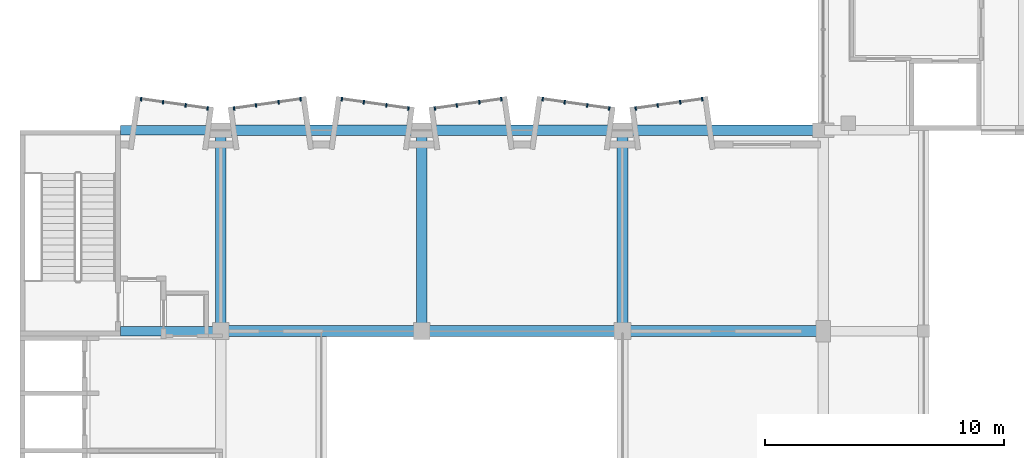
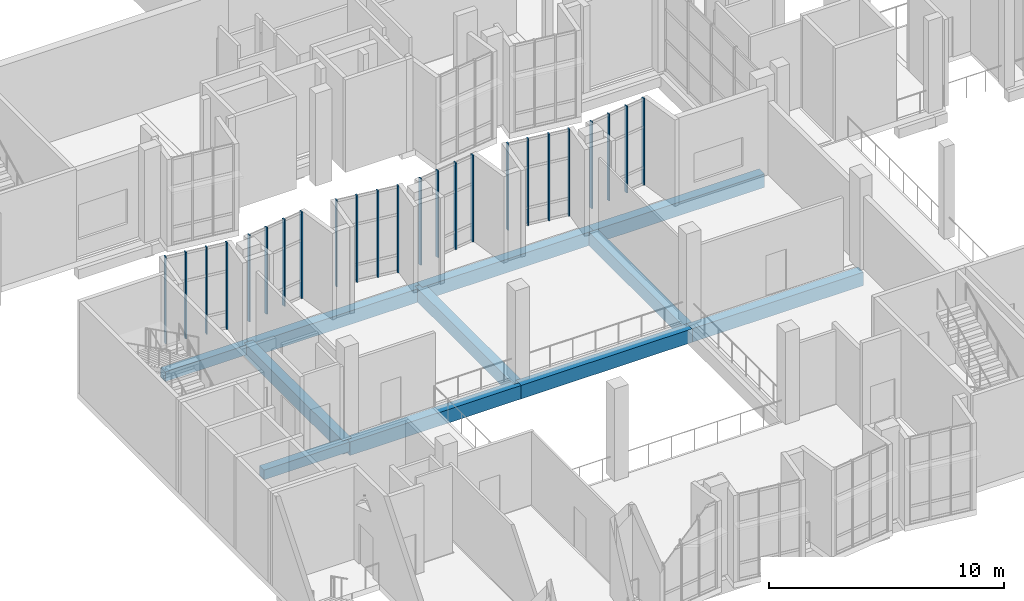
# One storey, part 4 of 100: 24 members, 11 beams, 6 elements without a shape of their own.
"""IFC4 building model written with IfcOpenShell, lengths in metres."""

from ifc_helpers import new_model, si_unit, direction, frame, origin, origin_2d, place, context, subcontext, project, spatial, rectangle, extrude, material, layer, layer_set, material_profile, profile_set, type_object, element, aggregate, save


model = new_model("IFC4")

# Units and contexts
model_context = context("Model", 3, precision=1e-05, world=origin(), true_north=direction((0.0, 1.0)))
body_context = subcontext(model_context, "Body", "Model", "MODEL_VIEW")
ifc_project = project(units=[si_unit("LENGTHUNIT", "METRE"), si_unit("AREAUNIT", "SQUARE_METRE"), si_unit("VOLUMEUNIT", "CUBIC_METRE"), si_unit("PLANEANGLEUNIT", "RADIAN"), si_unit("MASSUNIT", "GRAM", prefix="KILO")], contexts=[model_context])

# Site, building, storey
site_placement = place(None, origin())
site = spatial("IfcSite", under=ifc_project, at=site_placement, CompositionType="ELEMENT")
building_placement = place(site_placement, origin())
building = spatial("IfcBuilding", under=site, at=building_placement, Name="Kiln Court Media Centre", CompositionType="ELEMENT")
storey_placement = place(building_placement, frame((0.0, 0.0, 15.0)))
storey = spatial("IfcBuildingStorey", under=building, at=storey_placement, Name="L03", CompositionType="ELEMENT", Elevation=15.0)

# Curtain wall, members
ifc_material_1 = material(Name="Aluminium 6063-T6", Category="aluminium")
ifc_layer = layer(ifc_material_1, 0.1201171875)
ifc_layer_set = layer_set([ifc_layer], Name="Aluminium unitised bay curtain wall")
curtain_wall_type = type_object("IfcCurtainWallType", Name="Aluminium unitised bay curtain wall", PredefinedType="USERDEFINED", material=ifc_layer_set)
curtain_wall_1_placement = place(storey_placement, origin())
curtain_wall_1 = element("IfcCurtainWall", 1, at=curtain_wall_1_placement, inside=storey, type_object=curtain_wall_type, Name="BAY V6A-N-L03-16 front", ObjectType="UNITISED CURTAIN WALL", PredefinedType="USERDEFINED")
ifc_material_2 = material(Name="Aluminium 6063-T6", Category="aluminium")
ifc_material_profile_1 = material_profile(ifc_material_2, rectangle(XDim=0.06005859375, YDim=0.159912109375, at=origin_2d()), Name="Aluminium mullion 60x160")
ifc_profile_set_1 = profile_set([ifc_material_profile_1], Name="Aluminium 6063-T6")
member_type = type_object("IfcMemberType", Name="Aluminium mullion 60x160", PredefinedType="MULLION", material=ifc_profile_set_1)
member_1_placement = place(storey_placement, frame((5.064453125, 26.504638671875, 0.0), z_axis=(0.0, 0.0, 1.0), x_axis=(0.990269562409, -0.139162472554, 0.0)))
member_1 = element("IfcMember", 2, at=member_1_placement, type_object=member_type, Name="CW3-04 mullion 1", PredefinedType="MULLION", context=body_context, shape_type="SweptSolid", body=[
    extrude(rectangle(XDim=0.06005859375, YDim=0.159912109375, at=origin_2d()), origin(), (0.0, 0.0, 1.0), 4.5),
])
member_2_placement = place(storey_placement, frame((5.982177734375, 26.375732421875, 0.0), z_axis=(0.0, 0.0, 1.0), x_axis=(0.990269562409, -0.139162472554, 0.0)))
member_2 = element("IfcMember", 3, at=member_2_placement, type_object=member_type, Name="CW3-04 mullion 2", PredefinedType="MULLION", context=body_context, shape_type="SweptSolid", body=[
    extrude(rectangle(XDim=0.06005859375, YDim=0.159912109375, at=origin_2d()), origin(), (0.0, 0.0, 1.0), 4.5),
])
member_3_placement = place(storey_placement, frame((6.929443359375, 26.242431640625, 0.0), z_axis=(0.0, 0.0, 1.0), x_axis=(0.990269562409, -0.139162472554, 0.0)))
member_3 = element("IfcMember", 4, at=member_3_placement, type_object=member_type, Name="CW3-04 mullion 3", PredefinedType="MULLION", context=body_context, shape_type="SweptSolid", body=[
    extrude(rectangle(XDim=0.06005859375, YDim=0.159912109375, at=origin_2d()), origin(), (0.0, 0.0, 1.0), 4.5),
])
member_4_placement = place(storey_placement, frame((7.84716796875, 26.113525390625, 0.0), z_axis=(0.0, 0.0, 1.0), x_axis=(0.990269562409, -0.139162472554, 0.0)))
member_4 = element("IfcMember", 5, at=member_4_placement, type_object=member_type, Name="CW3-04 mullion 4", PredefinedType="MULLION", context=body_context, shape_type="SweptSolid", body=[
    extrude(rectangle(XDim=0.06005859375, YDim=0.159912109375, at=origin_2d()), origin(), (0.0, 0.0, 1.0), 4.5),
])
aggregate(curtain_wall_1, [member_1, member_2, member_3, member_4])

curtain_wall_2_placement = place(storey_placement, origin())
curtain_wall_2 = element("IfcCurtainWall", 6, at=curtain_wall_2_placement, inside=storey, type_object=curtain_wall_type, Name="BAY V6A-N-L03-17 front", ObjectType="UNITISED CURTAIN WALL", PredefinedType="USERDEFINED")
member_5_placement = place(storey_placement, frame((8.952880859375, 26.113525390625, 0.0), z_axis=(0.0, 0.0, 1.0), x_axis=(0.990269562409, 0.139162472554, 0.0)))
member_5 = element("IfcMember", 7, at=member_5_placement, type_object=member_type, Name="CW3-05 mullion 1", PredefinedType="MULLION", context=body_context, shape_type="SweptSolid", body=[
    extrude(rectangle(XDim=0.06005859375, YDim=0.159912109375, at=origin_2d()), origin(), (0.0, 0.0, 1.0), 4.5),
])
member_6_placement = place(storey_placement, frame((9.870361328125, 26.242431640625, 0.0), z_axis=(0.0, 0.0, 1.0), x_axis=(0.990269562409, 0.139162472554, 0.0)))
member_6 = element("IfcMember", 8, at=member_6_placement, type_object=member_type, Name="CW3-05 mullion 2", PredefinedType="MULLION", context=body_context, shape_type="SweptSolid", body=[
    extrude(rectangle(XDim=0.06005859375, YDim=0.159912109375, at=origin_2d()), origin(), (0.0, 0.0, 1.0), 4.5),
])
member_7_placement = place(storey_placement, frame((10.81787109375, 26.375732421875, 0.0), z_axis=(0.0, 0.0, 1.0), x_axis=(0.990269562409, 0.139162472554, 0.0)))
member_7 = element("IfcMember", 9, at=member_7_placement, type_object=member_type, Name="CW3-05 mullion 3", PredefinedType="MULLION", context=body_context, shape_type="SweptSolid", body=[
    extrude(rectangle(XDim=0.06005859375, YDim=0.159912109375, at=origin_2d()), origin(), (0.0, 0.0, 1.0), 4.5),
])
member_8_placement = place(storey_placement, frame((11.735595703125, 26.504638671875, 0.0), z_axis=(0.0, 0.0, 1.0), x_axis=(0.990269562409, 0.139162472554, 0.0)))
member_8 = element("IfcMember", 10, at=member_8_placement, type_object=member_type, Name="CW3-05 mullion 4", PredefinedType="MULLION", context=body_context, shape_type="SweptSolid", body=[
    extrude(rectangle(XDim=0.06005859375, YDim=0.159912109375, at=origin_2d()), origin(), (0.0, 0.0, 1.0), 4.5),
])
aggregate(curtain_wall_2, [member_5, member_6, member_7, member_8])

curtain_wall_3_placement = place(storey_placement, origin())
curtain_wall_3 = element("IfcCurtainWall", 11, at=curtain_wall_3_placement, inside=storey, type_object=curtain_wall_type, Name="BAY V6A-N-L03-18 front", ObjectType="UNITISED CURTAIN WALL", PredefinedType="USERDEFINED")
member_9_placement = place(storey_placement, frame((13.464599609375, 26.504638671875, 0.0), z_axis=(0.0, 0.0, 1.0), x_axis=(0.990269562409, -0.139162472554, 0.0)))
member_9 = element("IfcMember", 12, at=member_9_placement, type_object=member_type, Name="CW3-06 mullion 1", PredefinedType="MULLION", context=body_context, shape_type="SweptSolid", body=[
    extrude(rectangle(XDim=0.06005859375, YDim=0.159912109375, at=origin_2d()), origin(), (0.0, 0.0, 1.0), 4.5),
])
member_10_placement = place(storey_placement, frame((14.382080078125, 26.375732421875, 0.0), z_axis=(0.0, 0.0, 1.0), x_axis=(0.990269562409, -0.139162472554, 0.0)))
member_10 = element("IfcMember", 13, at=member_10_placement, type_object=member_type, Name="CW3-06 mullion 2", PredefinedType="MULLION", context=body_context, shape_type="SweptSolid", body=[
    extrude(rectangle(XDim=0.06005859375, YDim=0.159912109375, at=origin_2d()), origin(), (0.0, 0.0, 1.0), 4.5),
])
member_11_placement = place(storey_placement, frame((15.32958984375, 26.242431640625, 0.0), z_axis=(0.0, 0.0, 1.0), x_axis=(0.990269562409, -0.139162472554, 0.0)))
member_11 = element("IfcMember", 14, at=member_11_placement, type_object=member_type, Name="CW3-06 mullion 3", PredefinedType="MULLION", context=body_context, shape_type="SweptSolid", body=[
    extrude(rectangle(XDim=0.06005859375, YDim=0.159912109375, at=origin_2d()), origin(), (0.0, 0.0, 1.0), 4.5),
])
member_12_placement = place(storey_placement, frame((16.2470703125, 26.113525390625, 0.0), z_axis=(0.0, 0.0, 1.0), x_axis=(0.990269562409, -0.139162472554, 0.0)))
member_12 = element("IfcMember", 15, at=member_12_placement, type_object=member_type, Name="CW3-06 mullion 4", PredefinedType="MULLION", context=body_context, shape_type="SweptSolid", body=[
    extrude(rectangle(XDim=0.06005859375, YDim=0.159912109375, at=origin_2d()), origin(), (0.0, 0.0, 1.0), 4.5),
])
aggregate(curtain_wall_3, [member_9, member_10, member_11, member_12])

curtain_wall_4_placement = place(storey_placement, origin())
curtain_wall_4 = element("IfcCurtainWall", 16, at=curtain_wall_4_placement, inside=storey, type_object=curtain_wall_type, Name="BAY V6A-N-L03-19 front", ObjectType="UNITISED CURTAIN WALL", PredefinedType="USERDEFINED")
member_13_placement = place(storey_placement, frame((17.352783203125, 26.113525390625, 0.0), z_axis=(0.0, 0.0, 1.0), x_axis=(0.990269562409, 0.139162472554, 0.0)))
member_13 = element("IfcMember", 17, at=member_13_placement, type_object=member_type, Name="CW3-07 mullion 1", PredefinedType="MULLION", context=body_context, shape_type="SweptSolid", body=[
    extrude(rectangle(XDim=0.06005859375, YDim=0.159912109375, at=origin_2d()), origin(), (0.0, 0.0, 1.0), 4.5),
])
member_14_placement = place(storey_placement, frame((18.2705078125, 26.242431640625, 0.0), z_axis=(0.0, 0.0, 1.0), x_axis=(0.990269562409, 0.139162472554, 0.0)))
member_14 = element("IfcMember", 18, at=member_14_placement, type_object=member_type, Name="CW3-07 mullion 2", PredefinedType="MULLION", context=body_context, shape_type="SweptSolid", body=[
    extrude(rectangle(XDim=0.06005859375, YDim=0.159912109375, at=origin_2d()), origin(), (0.0, 0.0, 1.0), 4.5),
])
member_15_placement = place(storey_placement, frame((19.2177734375, 26.375732421875, 0.0), z_axis=(0.0, 0.0, 1.0), x_axis=(0.990269562409, 0.139162472554, 0.0)))
member_15 = element("IfcMember", 19, at=member_15_placement, type_object=member_type, Name="CW3-07 mullion 3", PredefinedType="MULLION", context=body_context, shape_type="SweptSolid", body=[
    extrude(rectangle(XDim=0.06005859375, YDim=0.159912109375, at=origin_2d()), origin(), (0.0, 0.0, 1.0), 4.5),
])
member_16_placement = place(storey_placement, frame((20.135498046875, 26.504638671875, 0.0), z_axis=(0.0, 0.0, 1.0), x_axis=(0.990269562409, 0.139162472554, 0.0)))
member_16 = element("IfcMember", 20, at=member_16_placement, type_object=member_type, Name="CW3-07 mullion 4", PredefinedType="MULLION", context=body_context, shape_type="SweptSolid", body=[
    extrude(rectangle(XDim=0.06005859375, YDim=0.159912109375, at=origin_2d()), origin(), (0.0, 0.0, 1.0), 4.5),
])
aggregate(curtain_wall_4, [member_13, member_14, member_15, member_16])

curtain_wall_5_placement = place(storey_placement, origin())
curtain_wall_5 = element("IfcCurtainWall", 21, at=curtain_wall_5_placement, inside=storey, type_object=curtain_wall_type, Name="BAY V6A-N-L03-20 front", ObjectType="UNITISED CURTAIN WALL", PredefinedType="USERDEFINED")
member_17_placement = place(storey_placement, frame((21.864501953125, 26.504638671875, 0.0), z_axis=(0.0, 0.0, 1.0), x_axis=(0.990269562409, -0.139162472554, 0.0)))
member_17 = element("IfcMember", 22, at=member_17_placement, type_object=member_type, Name="CW3-08 mullion 1", PredefinedType="MULLION", context=body_context, shape_type="SweptSolid", body=[
    extrude(rectangle(XDim=0.06005859375, YDim=0.159912109375, at=origin_2d()), origin(), (0.0, 0.0, 1.0), 4.5),
])
member_18_placement = place(storey_placement, frame((22.7822265625, 26.375732421875, 0.0), z_axis=(0.0, 0.0, 1.0), x_axis=(0.990269562409, -0.139162472554, 0.0)))
member_18 = element("IfcMember", 23, at=member_18_placement, type_object=member_type, Name="CW3-08 mullion 2", PredefinedType="MULLION", context=body_context, shape_type="SweptSolid", body=[
    extrude(rectangle(XDim=0.06005859375, YDim=0.159912109375, at=origin_2d()), origin(), (0.0, 0.0, 1.0), 4.5),
])
member_19_placement = place(storey_placement, frame((23.7294921875, 26.242431640625, 0.0), z_axis=(0.0, 0.0, 1.0), x_axis=(0.990269562409, -0.139162472554, 0.0)))
member_19 = element("IfcMember", 24, at=member_19_placement, type_object=member_type, Name="CW3-08 mullion 3", PredefinedType="MULLION", context=body_context, shape_type="SweptSolid", body=[
    extrude(rectangle(XDim=0.06005859375, YDim=0.159912109375, at=origin_2d()), origin(), (0.0, 0.0, 1.0), 4.5),
])
member_20_placement = place(storey_placement, frame((24.647216796875, 26.113525390625, 0.0), z_axis=(0.0, 0.0, 1.0), x_axis=(0.990269562409, -0.139162472554, 0.0)))
member_20 = element("IfcMember", 25, at=member_20_placement, type_object=member_type, Name="CW3-08 mullion 4", PredefinedType="MULLION", context=body_context, shape_type="SweptSolid", body=[
    extrude(rectangle(XDim=0.06005859375, YDim=0.159912109375, at=origin_2d()), origin(), (0.0, 0.0, 1.0), 4.5),
])
aggregate(curtain_wall_5, [member_17, member_18, member_19, member_20])

curtain_wall_6_placement = place(storey_placement, origin())
curtain_wall_6 = element("IfcCurtainWall", 26, at=curtain_wall_6_placement, inside=storey, type_object=curtain_wall_type, Name="BAY V6A-N-L03-21 front", ObjectType="UNITISED CURTAIN WALL", PredefinedType="USERDEFINED")
member_21_placement = place(storey_placement, frame((25.7529296875, 26.113525390625, 0.0), z_axis=(0.0, 0.0, 1.0), x_axis=(0.990269562409, 0.139162472554, 0.0)))
member_21 = element("IfcMember", 27, at=member_21_placement, type_object=member_type, Name="CW3-09 mullion 1", PredefinedType="MULLION", context=body_context, shape_type="SweptSolid", body=[
    extrude(rectangle(XDim=0.06005859375, YDim=0.159912109375, at=origin_2d()), origin(), (0.0, 0.0, 1.0), 4.5),
])
member_22_placement = place(storey_placement, frame((26.67041015625, 26.242431640625, 0.0), z_axis=(0.0, 0.0, 1.0), x_axis=(0.990269562409, 0.139162472554, 0.0)))
member_22 = element("IfcMember", 28, at=member_22_placement, type_object=member_type, Name="CW3-09 mullion 2", PredefinedType="MULLION", context=body_context, shape_type="SweptSolid", body=[
    extrude(rectangle(XDim=0.06005859375, YDim=0.159912109375, at=origin_2d()), origin(), (0.0, 0.0, 1.0), 4.5),
])
member_23_placement = place(storey_placement, frame((27.617919921875, 26.375732421875, 0.0), z_axis=(0.0, 0.0, 1.0), x_axis=(0.990269562409, 0.139162472554, 0.0)))
member_23 = element("IfcMember", 29, at=member_23_placement, type_object=member_type, Name="CW3-09 mullion 3", PredefinedType="MULLION", context=body_context, shape_type="SweptSolid", body=[
    extrude(rectangle(XDim=0.06005859375, YDim=0.159912109375, at=origin_2d()), origin(), (0.0, 0.0, 1.0), 4.5),
])
member_24_placement = place(storey_placement, frame((28.535400390625, 26.504638671875, 0.0), z_axis=(0.0, 0.0, 1.0), x_axis=(0.990269562409, 0.139162472554, 0.0)))
member_24 = element("IfcMember", 30, at=member_24_placement, type_object=member_type, Name="CW3-09 mullion 4", PredefinedType="MULLION", context=body_context, shape_type="SweptSolid", body=[
    extrude(rectangle(XDim=0.06005859375, YDim=0.159912109375, at=origin_2d()), origin(), (0.0, 0.0, 1.0), 4.5),
])
aggregate(curtain_wall_6, [member_21, member_22, member_23, member_24])

# Beams
ifc_material_3 = material(Name="Concrete C30/37", Category="concrete")
ifc_material_profile_2 = material_profile(ifc_material_3, rectangle(XDim=0.39990234375, YDim=0.5, at=origin_2d()), Name="RC 400x500")
ifc_profile_set_2 = profile_set([ifc_material_profile_2], Name="Concrete C30/37")
beam_type_1 = type_object("IfcBeamType", Name="Concrete C30/37 beam 400x500", PredefinedType="BEAM", material=ifc_profile_set_2)
for number, where, z_axis, x_axis, name in (
    (31, (4.199951171875, 16.800048828125, -0.550048828125), (1.0, 0.0, 0.0), (0.0, 1.0, 0.0), "L03-B-1019"),
    (32, (4.199951171875, 25.199951171875, -0.550048828125), (1.0, 0.0, 0.0), (0.0, 1.0, 0.0), "L03-B-1023"),
):
    element("IfcBeam", number, at=place(storey_placement, frame(where, z_axis=z_axis, x_axis=x_axis)), inside=storey, type_object=beam_type_1, Name=name, PredefinedType="BEAM", context=body_context, shape_type="SweptSolid", body=[
        extrude(rectangle(XDim=0.39990234375, YDim=0.5, at=origin_2d()), origin(), (0.0, 0.0, 1.0), 4.199951171875),
    ])
ifc_material_4 = material(Name="Concrete C30/37", Category="concrete")
ifc_material_profile_3 = material_profile(ifc_material_4, rectangle(XDim=0.449951171875, YDim=0.699951171875, at=origin_2d()), Name="RC 450x700")
ifc_profile_set_3 = profile_set([ifc_material_profile_3], Name="Concrete C30/37")
beam_type_2 = type_object("IfcBeamType", Name="Concrete C30/37 beam 450x700", PredefinedType="BEAM", material=ifc_profile_set_3)
for number, where, z_axis, x_axis, name in (
    (33, (8.39990234375, 16.800048828125, -0.64990234375), (0.0, 1.0, 0.0), (-1.0, 0.0, 0.0), "L03-B-1002"),
    (34, (16.800048828125, 16.800048828125, -0.64990234375), (0.0, 1.0, 0.0), (-1.0, 0.0, 0.0), "L03-B-1004"),
    (35, (25.199951171875, 16.800048828125, -0.64990234375), (0.0, 1.0, 0.0), (-1.0, 0.0, 0.0), "L03-B-1007"),
):
    element("IfcBeam", number, at=place(storey_placement, frame(where, z_axis=z_axis, x_axis=x_axis)), inside=storey, type_object=beam_type_2, Name=name, PredefinedType="BEAM", context=body_context, shape_type="SweptSolid", body=[
        extrude(rectangle(XDim=0.449951171875, YDim=0.699951171875, at=origin_2d()), origin(), (0.0, 0.0, 1.0), 8.39990234375),
    ])
beam_1_placement = place(storey_placement, frame((8.39990234375, 16.800048828125, -0.64990234375), z_axis=(1.0, 0.0, 0.0), x_axis=(0.0, 1.0, 0.0)))
element("IfcBeam", 36, at=beam_1_placement, inside=storey, type_object=beam_type_2, Name="L03-B-1020", PredefinedType="BEAM", context=body_context, shape_type="SweptSolid", body=[
    extrude(rectangle(XDim=0.449951171875, YDim=0.699951171875, at=origin_2d()), origin(), (0.0, 0.0, 1.0), 8.400146484375),
])
beam_2_placement = place(storey_placement, frame((16.800048828125, 16.800048828125, -0.64990234375), z_axis=(1.0, 0.0, 0.0), x_axis=(0.0, 1.0, 0.0)))
element("IfcBeam", 37, at=beam_2_placement, inside=storey, type_object=beam_type_2, Name="L03-B-1021", PredefinedType="BEAM", context=body_context, shape_type="SweptSolid", body=[
    extrude(rectangle(XDim=0.449951171875, YDim=0.699951171875, at=origin_2d()), origin(), (0.0, 0.0, 1.0), 8.39990234375),
])
for number, where, z_axis, x_axis, name in (
    (38, (25.199951171875, 16.800048828125, -0.64990234375), (1.0, 0.0, 0.0), (0.0, 1.0, 0.0), "L03-B-1022"),
    (39, (8.39990234375, 25.199951171875, -0.64990234375), (1.0, 0.0, 0.0), (0.0, 1.0, 0.0), "L03-B-1024"),
):
    element("IfcBeam", number, at=place(storey_placement, frame(where, z_axis=z_axis, x_axis=x_axis)), inside=storey, type_object=beam_type_2, Name=name, PredefinedType="BEAM", context=body_context, shape_type="SweptSolid", body=[
        extrude(rectangle(XDim=0.449951171875, YDim=0.699951171875, at=origin_2d()), origin(), (0.0, 0.0, 1.0), 8.400146484375),
    ])
beam_3_placement = place(storey_placement, frame((16.800048828125, 25.199951171875, -0.64990234375), z_axis=(1.0, 0.0, 0.0), x_axis=(0.0, 1.0, 0.0)))
element("IfcBeam", 40, at=beam_3_placement, inside=storey, type_object=beam_type_2, Name="L03-B-1025", PredefinedType="BEAM", context=body_context, shape_type="SweptSolid", body=[
    extrude(rectangle(XDim=0.449951171875, YDim=0.699951171875, at=origin_2d()), origin(), (0.0, 0.0, 1.0), 8.39990234375),
])
beam_4_placement = place(storey_placement, frame((25.199951171875, 25.199951171875, -0.64990234375), z_axis=(1.0, 0.0, 0.0), x_axis=(0.0, 1.0, 0.0)))
element("IfcBeam", 41, at=beam_4_placement, inside=storey, type_object=beam_type_2, Name="L03-B-1026", PredefinedType="BEAM", context=body_context, shape_type="SweptSolid", body=[
    extrude(rectangle(XDim=0.449951171875, YDim=0.699951171875, at=origin_2d()), origin(), (0.0, 0.0, 1.0), 8.400146484375),
])

save(model, "model.ifc")
